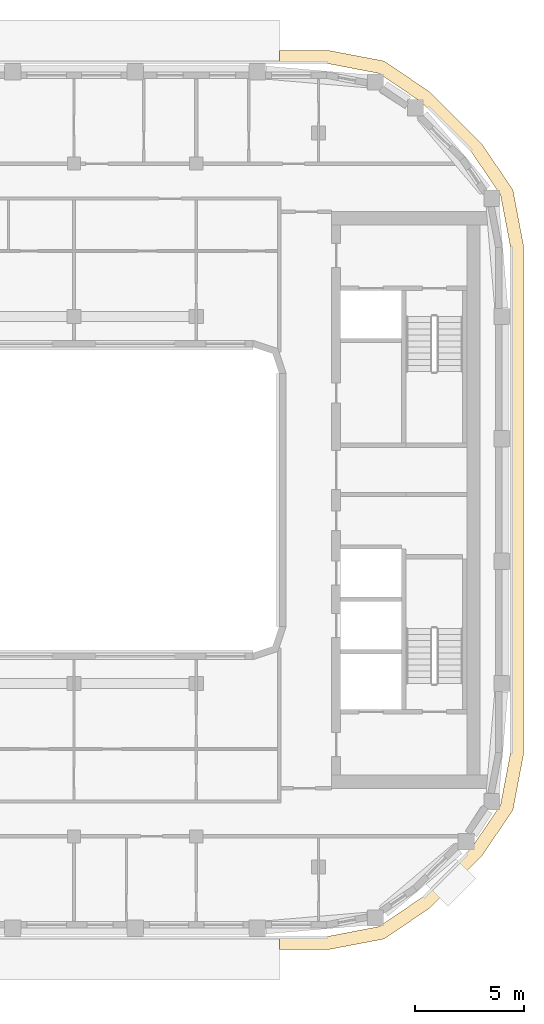
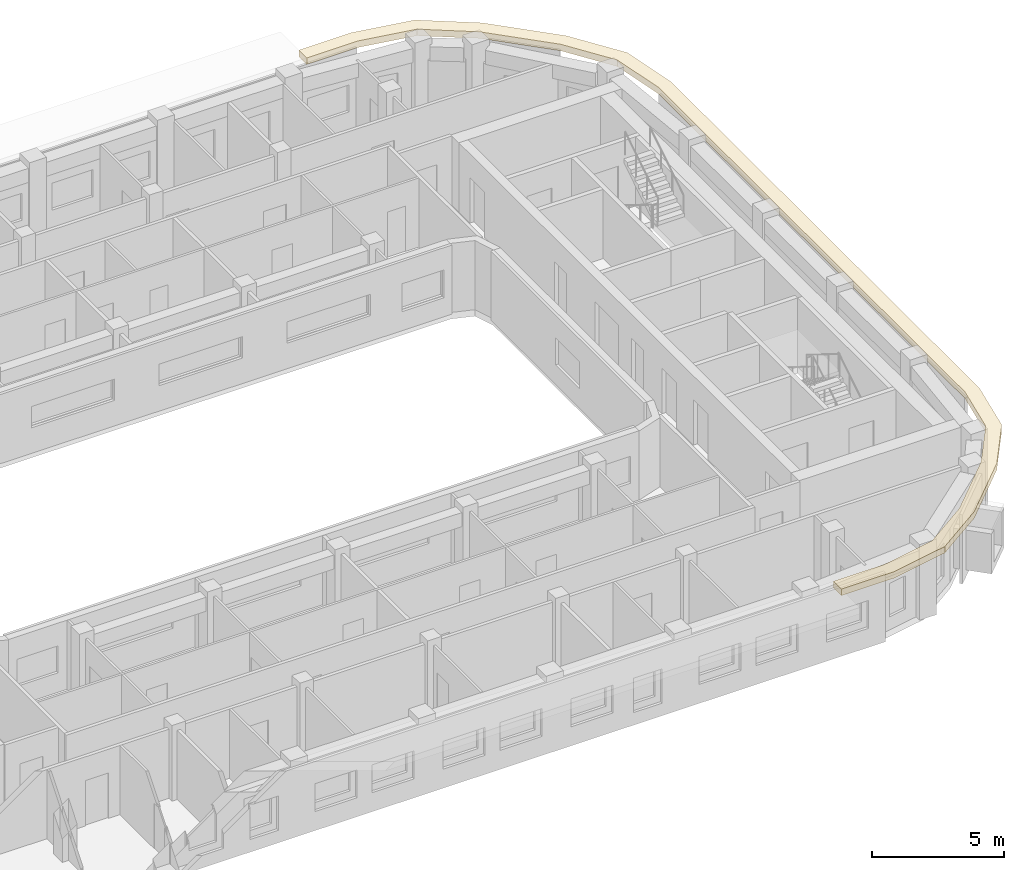
# One storey, part 14 of 16: 1 covering.
"""IFC4 building model written with IfcOpenShell, lengths in metres."""

from ifc_helpers import new_model, si_unit, direction, frame, origin, place, context, subcontext, project, spatial, polyline, outline, extrude, material, layer, layer_set, type_object, element, save


model = new_model("IFC4")

# Units and contexts
model_context = context("Model", 3, precision=1e-05, world=origin(), true_north=direction((0.0, 1.0)))
body_context = subcontext(model_context, "Body", "Model", "MODEL_VIEW")
ifc_project = project(units=[si_unit("LENGTHUNIT", "METRE"), si_unit("AREAUNIT", "SQUARE_METRE"), si_unit("VOLUMEUNIT", "CUBIC_METRE"), si_unit("PLANEANGLEUNIT", "RADIAN"), si_unit("MASSUNIT", "GRAM", prefix="KILO")], contexts=[model_context])

# Site, building, storey
site_placement = place(None, origin())
site = spatial("IfcSite", under=ifc_project, at=site_placement, CompositionType="ELEMENT")
building_placement = place(site_placement, origin())
building = spatial("IfcBuilding", under=site, at=building_placement, Name="Kiln Ring Residences", CompositionType="ELEMENT")
storey_placement = place(building_placement, frame((0.0, 0.0, 269.699951171875)))
storey = spatial("IfcBuildingStorey", under=building, at=storey_placement, Name="L70", CompositionType="ELEMENT", Elevation=269.699951171875)

# Covering
ifc_material = material(Name="Black powder-coated steel", Category="steel")
ifc_layer = layer(ifc_material, 0.300048828125)
ifc_layer_set = layer_set([ifc_layer], Name="SUNSHADE FIN 600")
covering_type = type_object("IfcCoveringType", Name="SUNSHADE FIN 600", PredefinedType="CLADDING", material=ifc_layer_set)
covering_placement = place(storey_placement, frame((0.0, 0.0, 3.199951171875)))
element("IfcCovering", 1, at=covering_placement, inside=storey, type_object=covering_type, Name="SUNSHADE FIN L70", PredefinedType="CLADDING", context=body_context, shape_type="SweptSolid", body=[
    extrude(outline(polyline([(17.292236328125, 20.574951171875), (15.0, 20.574951171875), (15.0, 19.97509765625), (17.2353515625, 19.97509765625), (19.57080078125, 19.529541015625), (21.537109375, 18.193115234375), (23.793212890625, 15.937255859375), (25.12939453125, 13.970703125), (25.574951171875, 11.635498046875), (25.574951171875, -11.635498046875), (25.12939453125, -13.970703125), (23.793212890625, -15.937255859375), (21.537109375, -18.193115234375), (19.57080078125, -19.529541015625), (17.2353515625, -19.97509765625), (15.0, -19.97509765625), (15.0, -20.574951171875), (17.292236328125, -20.574951171875), (19.805419921875, -20.095703125), (21.92138671875, -18.657470703125), (24.257568359375, -16.3212890625), (25.695556640625, -14.205322265625), (26.175048828125, -11.692138671875), (26.175048828125, 11.692138671875), (25.695556640625, 14.205322265625), (24.257568359375, 16.3212890625), (21.92138671875, 18.657470703125), (19.805419921875, 20.095703125), (17.292236328125, 20.574951171875)])), origin(), (0.0, 0.0, 1.0), 0.300048828125),
])

save(model, "model.ifc")
